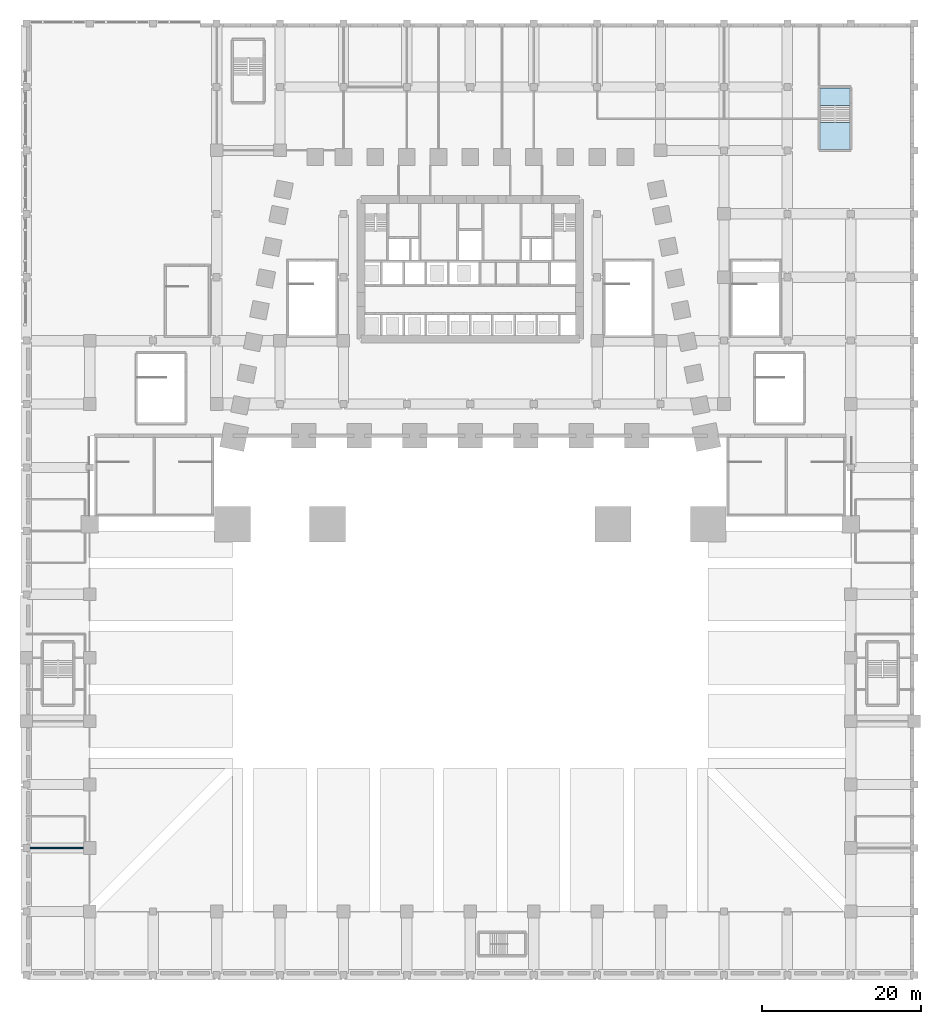
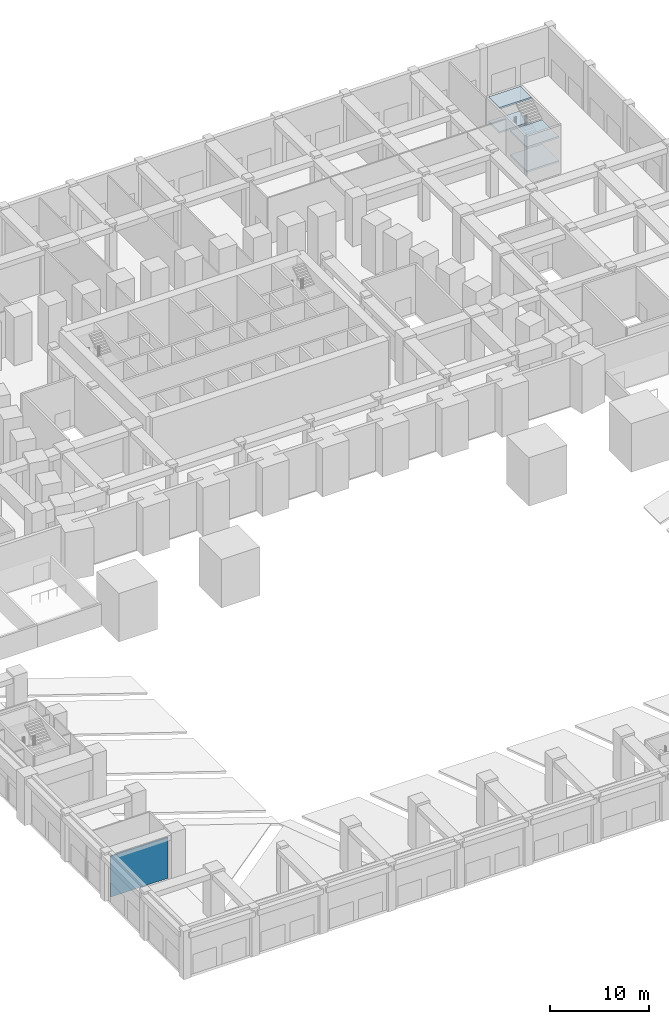
# One storey, part 5 of 28: 4 slabs, 1 wall, 1 element without a shape of its own.
"""IFC4 building model written with IfcOpenShell, lengths in metres."""

from ifc_helpers import new_model, si_unit, direction, frame, frame_2d, origin, place, context, subcontext, project, spatial, polyline, rectangle, outline, extrude, material, layer, layer_set, type_object, element, aggregate, save


model = new_model("IFC4")

# Units and contexts
model_context = context("Model", 3, precision=1e-05, world=origin(), true_north=direction((0.0, 1.0)))
body_context = subcontext(model_context, "Body", "Model", "MODEL_VIEW")
ifc_project = project(units=[si_unit("LENGTHUNIT", "METRE"), si_unit("AREAUNIT", "SQUARE_METRE"), si_unit("VOLUMEUNIT", "CUBIC_METRE"), si_unit("PLANEANGLEUNIT", "RADIAN"), si_unit("MASSUNIT", "GRAM", prefix="KILO")], contexts=[model_context])

# Site, building, storey
site_placement = place(None, origin())
site = spatial("IfcSite", under=ifc_project, at=site_placement, CompositionType="ELEMENT")
building_placement = place(site_placement, origin())
building = spatial("IfcBuilding", under=site, at=building_placement, Name="Isbrekke Arena Tower", CompositionType="ELEMENT")
storey_placement = place(building_placement, origin())
storey = spatial("IfcBuildingStorey", under=building, at=storey_placement, Name="L00", CompositionType="ELEMENT", Elevation=0.0)

# Stair, slabs
ifc_material_1 = material(Name="Concrete B45 (C45/55) precast", Category="concrete")
stair_type = type_object("IfcStairType", Name="ST60 STAIR 1800 WIDE, 36 RISERS 167", PredefinedType="HALF_TURN_STAIR", material=ifc_material_1)
stair_placement = place(storey_placement, origin())
stair = element("IfcStair", 1, at=stair_placement, inside=storey, type_object=stair_type, Name="P1 stair L00", PredefinedType="HALF_TURN_STAIR")
ifc_material_2 = material(Name="Concrete B35 (C35/45)", Category="concrete")
ifc_layer_1 = layer(ifc_material_2, 0.199951171875)
ifc_layer_set_1 = layer_set([ifc_layer_1], Name="SL1 STAIR LANDING 200")
slab_type = type_object("IfcSlabType", Name="SL1 STAIR LANDING 200", PredefinedType="LANDING", material=ifc_layer_set_1)
slab_1_placement = place(storey_placement, frame((0.0, 0.0, 1.300048828125)))
slab_1 = element("IfcSlab", 2, at=slab_1_placement, type_object=slab_type, Name="P1 landing 1", PredefinedType="LANDING", context=body_context, shape_type="SweptSolid", body=[
    extrude(outline(polyline([(44.125, 30.125), (47.875, 30.125), (47.875, 33.514892578125), (44.125, 33.514892578125), (44.125, 30.125)])), origin(), (0.0, 0.0, 1.0), 0.199951171875),
])
slab_2_placement = place(storey_placement, frame((0.0, 0.0, 2.800048828125)))
slab_2 = element("IfcSlab", 3, at=slab_2_placement, type_object=slab_type, Name="P1 landing 2", PredefinedType="LANDING", context=body_context, shape_type="SweptSolid", body=[
    extrude(outline(polyline([(44.125, 35.675048828125), (47.875, 35.675048828125), (47.875, 37.875), (44.125, 37.875), (44.125, 35.675048828125)])), origin(), (0.0, 0.0, 1.0), 0.199951171875),
])
slab_3_placement = place(storey_placement, frame((0.0, 0.0, 4.300048828125)))
slab_3 = element("IfcSlab", 4, at=slab_3_placement, type_object=slab_type, Name="P1 landing 3", PredefinedType="LANDING", context=body_context, shape_type="SweptSolid", body=[
    extrude(outline(polyline([(44.125, 30.125), (47.875, 30.125), (47.875, 33.514892578125), (44.125, 33.514892578125), (44.125, 30.125)])), origin(), (0.0, 0.0, 1.0), 0.199951171875),
])
slab_4_placement = place(storey_placement, frame((0.0, 0.0, 5.800048828125)))
slab_4 = element("IfcSlab", 5, at=slab_4_placement, type_object=slab_type, Name="P1 landing 4", PredefinedType="LANDING", context=body_context, shape_type="SweptSolid", body=[
    extrude(outline(polyline([(44.125, 35.675048828125), (47.875, 35.675048828125), (47.875, 37.875), (44.125, 37.875), (44.125, 35.675048828125)])), origin(), (0.0, 0.0, 1.0), 0.199951171875),
])
aggregate(stair, [slab_1, slab_2, slab_3, slab_4])

# Wall
ifc_material_3 = material(Name="Gypsum board partition on steel studs", Category="steel")
ifc_layer_2 = layer(ifc_material_3, 0.14990234375)
ifc_layer_set_2 = layer_set([ifc_layer_2], Name="IW1 PARTITION 150")
wall_type = type_object("IfcWallType", Name="IW1 PARTITION 150", PredefinedType="PARTITIONING", material=ifc_layer_set_2)
wall_placement = place(storey_placement, frame((-55.5400390625, -58.0, 0.0), z_axis=(0.0, 0.0, 1.0), x_axis=(1.0, 0.0, 0.0)))
element("IfcWall", 6, at=wall_placement, inside=storey, type_object=wall_type, Name="IW1 partition L00", PredefinedType="PARTITIONING", context=body_context, shape_type="SweptSolid", body=[
    extrude(rectangle(XDim=6.72998046875, YDim=0.14990234375, at=frame_2d((3.364990234375, 0.0))), origin(), (0.0, 0.0, 1.0), 5.050048828125),
])

save(model, "model.ifc")
